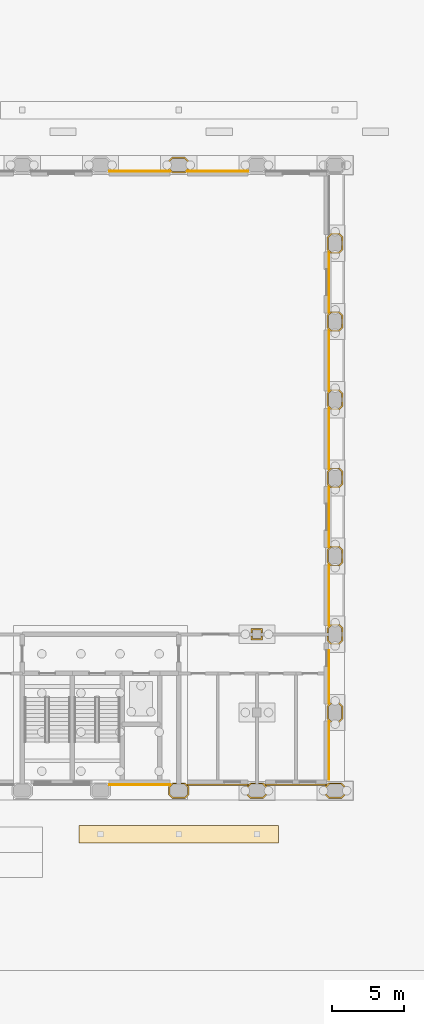
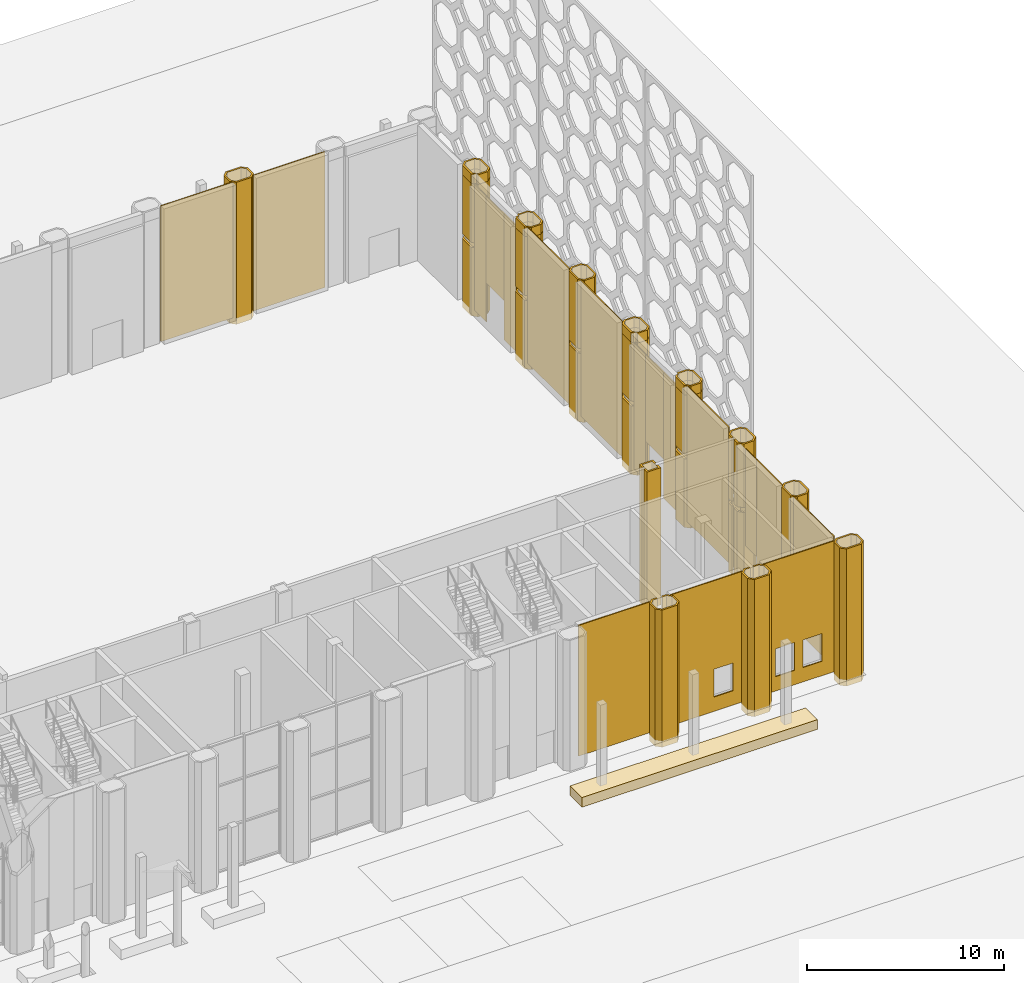
# One storey, part 51 of 54: 41 coverings.
"""IFC4 building model written with IfcOpenShell, lengths in metres."""

from ifc_helpers import new_model, si_unit, direction, frame, frame_2d, origin, origin_2d, place, context, subcontext, project, spatial, polyline, rectangle, outline, extrude, material, layer, layer_set, type_object, element, save


model = new_model("IFC4")

# Units and contexts
model_context = context("Model", 3, precision=1e-05, world=origin(), true_north=direction((0.0, 1.0)))
body_context = subcontext(model_context, "Body", "Model", "MODEL_VIEW")
ifc_project = project(units=[si_unit("LENGTHUNIT", "METRE"), si_unit("AREAUNIT", "SQUARE_METRE"), si_unit("VOLUMEUNIT", "CUBIC_METRE"), si_unit("PLANEANGLEUNIT", "RADIAN"), si_unit("MASSUNIT", "GRAM", prefix="KILO")], contexts=[model_context])

# Site, building, storey
site_placement = place(None, origin())
site = spatial("IfcSite", under=ifc_project, at=site_placement, CompositionType="ELEMENT")
building_placement = place(site_placement, origin())
building = spatial("IfcBuilding", under=site, at=building_placement, Name="Tabaq Tower and Sports Hall", CompositionType="ELEMENT")
storey_placement = place(building_placement, origin())
storey = spatial("IfcBuildingStorey", under=building, at=storey_placement, Name="L00", CompositionType="ELEMENT", Elevation=0.0)

# Coverings
ifc_material_1 = material(Name="Precast concrete C60/75", Category="concrete")
ifc_layer_1 = layer(ifc_material_1, 0.10009765625)
ifc_layer_set_1 = layer_set([ifc_layer_1], Name="Column cladding 100")
covering_type_1 = type_object("IfcCoveringType", Name="Column cladding 100", PredefinedType="CLADDING", material=ifc_layer_set_1)
covering_1_placement = place(storey_placement, frame((0.0, 0.0, -0.39990234375)))
element("IfcCovering", 1, at=covering_1_placement, inside=storey, type_object=covering_type_1, Name="Column cladding L00 HC-22A", PredefinedType="CLADDING", context=body_context, shape_type="SweptSolid", body=[
    extrude(outline(polyline([(112.7001953125, 0.291259765625), (112.958740234375, 0.5498046875), (113.249755859375, 0.5498046875), (113.249755859375, 0.4501953125), (112.999755859375, 0.4501953125), (112.7998046875, 0.250244140625), (112.7998046875, -0.250244140625), (112.999755859375, -0.4501953125), (113.800048828125, -0.4501953125), (114.000244140625, -0.250244140625), (114.000244140625, 0.250244140625), (113.800048828125, 0.4501953125), (113.55029296875, 0.4501953125), (113.55029296875, 0.5498046875), (113.84130859375, 0.5498046875), (114.099609375, 0.291259765625), (114.099609375, -0.291259765625), (113.84130859375, -0.5498046875), (112.958740234375, -0.5498046875), (112.7001953125, -0.291259765625), (112.7001953125, 0.291259765625)])), origin(), (0.0, 0.0, 1.0), 8.5),
])
covering_2_placement = place(storey_placement, frame((0.0, 0.0, -0.39990234375)))
element("IfcCovering", 2, at=covering_2_placement, inside=storey, type_object=covering_type_1, Name="Column cladding L00 HC-22I", PredefinedType="CLADDING", context=body_context, shape_type="SweptSolid", body=[
    extrude(outline(polyline([(112.7001953125, 42.90869140625), (112.7001953125, 43.4912109375), (112.958740234375, 43.749755859375), (113.84130859375, 43.749755859375), (114.099609375, 43.4912109375), (114.099609375, 42.90869140625), (113.84130859375, 42.650390625), (112.958740234375, 42.650390625), (112.7001953125, 42.90869140625)]), holes=[polyline([(113.800048828125, 42.749755859375), (114.000244140625, 42.949951171875), (114.000244140625, 43.4501953125), (113.800048828125, 43.650390625), (112.999755859375, 43.650390625), (112.7998046875, 43.4501953125), (112.7998046875, 42.949951171875), (112.999755859375, 42.749755859375), (113.800048828125, 42.749755859375)])]), origin(), (0.0, 0.0, 1.0), 8.7998046875),
])
covering_3_placement = place(storey_placement, frame((0.0, 0.0, -0.39990234375)))
element("IfcCovering", 3, at=covering_3_placement, inside=storey, type_object=covering_type_1, Name="Column cladding L00 HC-23A", PredefinedType="CLADDING", context=body_context, shape_type="SweptSolid", body=[
    extrude(outline(polyline([(118.100341796875, 0.291259765625), (118.358642578125, 0.5498046875), (118.69970703125, 0.5498046875), (118.69970703125, 0.4501953125), (118.39990234375, 0.4501953125), (118.19970703125, 0.250244140625), (118.19970703125, -0.250244140625), (118.39990234375, -0.4501953125), (119.2001953125, -0.4501953125), (119.400390625, -0.250244140625), (119.400390625, 0.250244140625), (119.2001953125, 0.4501953125), (118.900390625, 0.4501953125), (118.900390625, 0.5498046875), (119.2412109375, 0.5498046875), (119.499755859375, 0.291259765625), (119.499755859375, -0.291259765625), (119.2412109375, -0.5498046875), (118.358642578125, -0.5498046875), (118.100341796875, -0.291259765625), (118.100341796875, 0.291259765625)])), origin(), (0.0, 0.0, 1.0), 8.5),
])
covering_4_placement = place(storey_placement, frame((0.0, 0.0, -0.39990234375)))
element("IfcCovering", 4, at=covering_4_placement, inside=storey, type_object=covering_type_1, Name="Column cladding L00 HC-23C", PredefinedType="CLADDING", context=body_context, shape_type="SweptSolid", body=[
    extrude(outline(polyline([(119.19970703125, 10.400390625), (118.400390625, 10.400390625), (118.400390625, 10.69970703125), (118.499755859375, 10.69970703125), (118.499755859375, 10.499755859375), (119.100341796875, 10.499755859375), (119.100341796875, 10.69970703125), (119.19970703125, 10.69970703125), (119.19970703125, 10.400390625)])), origin(), (0.0, 0.0, 1.0), 8.5),
])
covering_5_placement = place(storey_placement, frame((0.0, 0.0, -0.39990234375)))
element("IfcCovering", 5, at=covering_5_placement, inside=storey, type_object=covering_type_1, Name="Column cladding L00 HC-23C 2", PredefinedType="CLADDING", context=body_context, shape_type="SweptSolid", body=[
    extrude(outline(polyline([(119.19970703125, 11.19970703125), (119.19970703125, 10.900390625), (119.100341796875, 10.900390625), (119.100341796875, 11.100341796875), (118.499755859375, 11.100341796875), (118.499755859375, 10.900390625), (118.400390625, 10.900390625), (118.400390625, 11.19970703125), (119.19970703125, 11.19970703125)])), origin(), (0.0, 0.0, 1.0), 8.5),
])
covering_6_placement = place(storey_placement, frame((0.0, 0.0, -0.39990234375)))
element("IfcCovering", 6, at=covering_6_placement, inside=storey, type_object=covering_type_1, Name="Column cladding L00 HC-24A", PredefinedType="CLADDING", context=body_context, shape_type="SweptSolid", body=[
    extrude(outline(polyline([(123.500244140625, -0.291259765625), (123.500244140625, 0.291259765625), (123.7587890625, 0.5498046875), (124.641357421875, 0.5498046875), (124.899658203125, 0.291259765625), (124.899658203125, -0.291259765625), (124.641357421875, -0.5498046875), (123.7587890625, -0.5498046875), (123.500244140625, -0.291259765625)]), holes=[polyline([(124.60009765625, -0.4501953125), (124.80029296875, -0.250244140625), (124.80029296875, 0.250244140625), (124.60009765625, 0.4501953125), (123.7998046875, 0.4501953125), (123.599609375, 0.250244140625), (123.599609375, -0.250244140625), (123.7998046875, -0.4501953125), (124.60009765625, -0.4501953125)])]), origin(), (0.0, 0.0, 1.0), 8.5),
])
covering_7_placement = place(storey_placement, frame((0.0, 0.0, -0.39990234375)))
element("IfcCovering", 7, at=covering_7_placement, inside=storey, type_object=covering_type_1, Name="Column cladding L00 HC-24B", PredefinedType="CLADDING", context=body_context, shape_type="SweptSolid", body=[
    extrude(outline(polyline([(124.4912109375, 4.7001953125), (123.90869140625, 4.7001953125), (123.650390625, 4.958740234375), (123.650390625, 5.84130859375), (123.90869140625, 6.099609375), (124.4912109375, 6.099609375), (124.749755859375, 5.84130859375), (124.749755859375, 4.958740234375), (124.4912109375, 4.7001953125)]), holes=[polyline([(124.650390625, 5.800048828125), (124.4501953125, 6.000244140625), (123.949951171875, 6.000244140625), (123.749755859375, 5.800048828125), (123.749755859375, 4.999755859375), (123.949951171875, 4.7998046875), (124.4501953125, 4.7998046875), (124.650390625, 4.999755859375), (124.650390625, 5.800048828125)])]), origin(), (0.0, 0.0, 1.0), 8.5),
])
covering_8_placement = place(storey_placement, frame((0.0, 0.0, -0.39990234375)))
element("IfcCovering", 8, at=covering_8_placement, inside=storey, type_object=covering_type_1, Name="Column cladding L00 HC-24C", PredefinedType="CLADDING", context=body_context, shape_type="SweptSolid", body=[
    extrude(outline(polyline([(123.90869140625, 10.100341796875), (123.650390625, 10.358642578125), (123.650390625, 10.69970703125), (123.749755859375, 10.69970703125), (123.749755859375, 10.39990234375), (123.949951171875, 10.19970703125), (124.4501953125, 10.19970703125), (124.650390625, 10.39990234375), (124.650390625, 11.2001953125), (124.4501953125, 11.400390625), (123.949951171875, 11.400390625), (123.749755859375, 11.2001953125), (123.749755859375, 10.900390625), (123.650390625, 10.900390625), (123.650390625, 11.2412109375), (123.90869140625, 11.499755859375), (124.4912109375, 11.499755859375), (124.73974609375, 11.251220703125), (124.73974609375, 10.819580078125), (124.749755859375, 10.819580078125), (124.749755859375, 10.358642578125), (124.4912109375, 10.100341796875), (123.90869140625, 10.100341796875)])), origin(), (0.0, 0.0, 1.0), 4.25),
])
covering_9_placement = place(storey_placement, frame((0.0, 0.0, 4.14990234375)))
element("IfcCovering", 9, at=covering_9_placement, inside=storey, type_object=covering_type_1, Name="Column cladding L00 HC-24C 2", PredefinedType="CLADDING", context=body_context, shape_type="SweptSolid", body=[
    extrude(outline(polyline([(123.90869140625, 10.100341796875), (123.650390625, 10.358642578125), (123.650390625, 10.69970703125), (123.749755859375, 10.69970703125), (123.749755859375, 10.39990234375), (123.949951171875, 10.19970703125), (124.4501953125, 10.19970703125), (124.650390625, 10.39990234375), (124.650390625, 11.2001953125), (124.4501953125, 11.400390625), (123.949951171875, 11.400390625), (123.749755859375, 11.2001953125), (123.749755859375, 10.900390625), (123.650390625, 10.900390625), (123.650390625, 11.2412109375), (123.90869140625, 11.499755859375), (124.4912109375, 11.499755859375), (124.73974609375, 11.251220703125), (124.73974609375, 10.819580078125), (124.749755859375, 10.819580078125), (124.749755859375, 10.358642578125), (124.4912109375, 10.100341796875), (123.90869140625, 10.100341796875)])), origin(), (0.0, 0.0, 1.0), 3.9501953125),
])
covering_10_placement = place(storey_placement, frame((0.0, 0.0, -0.39990234375)))
element("IfcCovering", 10, at=covering_10_placement, inside=storey, type_object=covering_type_1, Name="Column cladding L00 HC-24D", PredefinedType="CLADDING", context=body_context, shape_type="SweptSolid", body=[
    extrude(outline(polyline([(123.90869140625, 15.500244140625), (123.650390625, 15.7587890625), (123.650390625, 16.641357421875), (123.90869140625, 16.899658203125), (124.4912109375, 16.899658203125), (124.73974609375, 16.6513671875), (124.73974609375, 15.748779296875), (124.4912109375, 15.500244140625), (123.90869140625, 15.500244140625)]), holes=[polyline([(124.4501953125, 16.80029296875), (123.949951171875, 16.80029296875), (123.749755859375, 16.60009765625), (123.749755859375, 15.7998046875), (123.949951171875, 15.599609375), (124.4501953125, 15.599609375), (124.650390625, 15.7998046875), (124.650390625, 16.60009765625), (124.4501953125, 16.80029296875)])]), origin(), (0.0, 0.0, 1.0), 4.25),
])
covering_11_placement = place(storey_placement, frame((0.0, 0.0, 4.14990234375)))
element("IfcCovering", 11, at=covering_11_placement, inside=storey, type_object=covering_type_1, Name="Column cladding L00 HC-24D 2", PredefinedType="CLADDING", context=body_context, shape_type="SweptSolid", body=[
    extrude(outline(polyline([(123.90869140625, 15.500244140625), (123.650390625, 15.7587890625), (123.650390625, 16.641357421875), (123.90869140625, 16.899658203125), (124.4912109375, 16.899658203125), (124.73974609375, 16.6513671875), (124.73974609375, 15.748779296875), (124.4912109375, 15.500244140625), (123.90869140625, 15.500244140625)]), holes=[polyline([(124.4501953125, 16.80029296875), (123.949951171875, 16.80029296875), (123.749755859375, 16.60009765625), (123.749755859375, 15.7998046875), (123.949951171875, 15.599609375), (124.4501953125, 15.599609375), (124.650390625, 15.7998046875), (124.650390625, 16.60009765625), (124.4501953125, 16.80029296875)])]), origin(), (0.0, 0.0, 1.0), 3.650146484375),
])
covering_12_placement = place(storey_placement, frame((0.0, 0.0, 7.800048828125)))
element("IfcCovering", 12, at=covering_12_placement, inside=storey, type_object=covering_type_1, Name="Column cladding L00 HC-24D head", PredefinedType="CLADDING", context=body_context, shape_type="SweptSolid", body=[
    extrude(outline(polyline([(123.650390625, 15.7587890625), (123.650390625, 16.641357421875), (123.7587890625, 16.749755859375), (123.899169921875, 16.749755859375), (123.749755859375, 16.60009765625), (123.749755859375, 15.7998046875), (123.949951171875, 15.599609375), (124.4501953125, 15.599609375), (124.650390625, 15.7998046875), (124.650390625, 16.60009765625), (124.4501953125, 16.80029296875), (123.949951171875, 16.80029296875), (123.900390625, 16.750732421875), (123.900390625, 16.891357421875), (123.90869140625, 16.899658203125), (124.4912109375, 16.899658203125), (124.73974609375, 16.6513671875), (124.73974609375, 15.748779296875), (124.4912109375, 15.500244140625), (123.90869140625, 15.500244140625), (123.650390625, 15.7587890625)])), origin(), (0.0, 0.0, 1.0), 0.599853515625),
])
covering_13_placement = place(storey_placement, frame((0.0, 0.0, -0.39990234375)))
element("IfcCovering", 13, at=covering_13_placement, inside=storey, type_object=covering_type_1, Name="Column cladding L00 HC-24E", PredefinedType="CLADDING", context=body_context, shape_type="SweptSolid", body=[
    extrude(outline(polyline([(123.90869140625, 20.900390625), (123.650390625, 21.15869140625), (123.650390625, 22.041259765625), (123.90869140625, 22.2998046875), (124.4912109375, 22.2998046875), (124.73974609375, 22.05126953125), (124.73974609375, 21.61962890625), (124.749755859375, 21.61962890625), (124.749755859375, 21.580322265625), (124.73974609375, 21.580322265625), (124.73974609375, 21.148681640625), (124.4912109375, 20.900390625), (123.90869140625, 20.900390625)]), holes=[polyline([(124.4501953125, 22.2001953125), (123.949951171875, 22.2001953125), (123.749755859375, 22.000244140625), (123.749755859375, 21.199951171875), (123.949951171875, 20.999755859375), (124.4501953125, 20.999755859375), (124.650390625, 21.199951171875), (124.650390625, 22.000244140625), (124.4501953125, 22.2001953125)])]), origin(), (0.0, 0.0, 1.0), 4.25),
])
covering_14_placement = place(storey_placement, frame((0.0, 0.0, 4.14990234375)))
element("IfcCovering", 14, at=covering_14_placement, inside=storey, type_object=covering_type_1, Name="Column cladding L00 HC-24E 2", PredefinedType="CLADDING", context=body_context, shape_type="SweptSolid", body=[
    extrude(outline(polyline([(123.90869140625, 20.900390625), (123.650390625, 21.15869140625), (123.650390625, 22.041259765625), (123.90869140625, 22.2998046875), (124.4912109375, 22.2998046875), (124.73974609375, 22.05126953125), (124.73974609375, 21.61962890625), (124.749755859375, 21.61962890625), (124.749755859375, 21.580322265625), (124.73974609375, 21.580322265625), (124.73974609375, 21.148681640625), (124.4912109375, 20.900390625), (123.90869140625, 20.900390625)]), holes=[polyline([(124.4501953125, 22.2001953125), (123.949951171875, 22.2001953125), (123.749755859375, 22.000244140625), (123.749755859375, 21.199951171875), (123.949951171875, 20.999755859375), (124.4501953125, 20.999755859375), (124.650390625, 21.199951171875), (124.650390625, 22.000244140625), (124.4501953125, 22.2001953125)])]), origin(), (0.0, 0.0, 1.0), 3.650146484375),
])
covering_15_placement = place(storey_placement, frame((0.0, 0.0, 7.800048828125)))
element("IfcCovering", 15, at=covering_15_placement, inside=storey, type_object=covering_type_1, Name="Column cladding L00 HC-24E head", PredefinedType="CLADDING", context=body_context, shape_type="SweptSolid", body=[
    extrude(outline(polyline([(123.900390625, 20.90869140625), (123.900390625, 21.04931640625), (123.949951171875, 20.999755859375), (124.4501953125, 20.999755859375), (124.650390625, 21.199951171875), (124.650390625, 22.000244140625), (124.4501953125, 22.2001953125), (123.949951171875, 22.2001953125), (123.749755859375, 22.000244140625), (123.749755859375, 21.199951171875), (123.899169921875, 21.05029296875), (123.7587890625, 21.05029296875), (123.650390625, 21.15869140625), (123.650390625, 22.041259765625), (123.90869140625, 22.2998046875), (124.4912109375, 22.2998046875), (124.73974609375, 22.05126953125), (124.73974609375, 21.61962890625), (124.749755859375, 21.61962890625), (124.749755859375, 21.580322265625), (124.73974609375, 21.580322265625), (124.73974609375, 21.148681640625), (124.4912109375, 20.900390625), (123.90869140625, 20.900390625), (123.900390625, 20.90869140625)])), origin(), (0.0, 0.0, 1.0), 0.599853515625),
])
for number, where, name in (
    (16, (0.0, 0.0, -0.39990234375), "Column cladding L00 HC-24F"),
    (17, (0.0, 0.0, 4.14990234375), "Column cladding L00 HC-24F 2"),
):
    element("IfcCovering", number, at=place(storey_placement, frame(where)), inside=storey, type_object=covering_type_1, Name=name, PredefinedType="CLADDING", context=body_context, shape_type="SweptSolid", body=[
        extrude(outline(polyline([(123.90869140625, 26.30029296875), (123.650390625, 26.55859375), (123.650390625, 27.44140625), (123.90869140625, 27.69970703125), (124.4912109375, 27.69970703125), (124.73974609375, 27.451416015625), (124.73974609375, 26.548583984375), (124.4912109375, 26.30029296875), (123.90869140625, 26.30029296875)]), holes=[polyline([(124.4501953125, 27.600341796875), (123.949951171875, 27.600341796875), (123.749755859375, 27.400146484375), (123.749755859375, 26.599853515625), (123.949951171875, 26.399658203125), (124.4501953125, 26.399658203125), (124.650390625, 26.599853515625), (124.650390625, 27.400146484375), (124.4501953125, 27.600341796875)])]), origin(), (0.0, 0.0, 1.0), 4.25),
    ])
covering_16_placement = place(storey_placement, frame((0.0, 0.0, -0.39990234375)))
element("IfcCovering", 18, at=covering_16_placement, inside=storey, type_object=covering_type_1, Name="Column cladding L00 HC-24G", PredefinedType="CLADDING", context=body_context, shape_type="SweptSolid", body=[
    extrude(outline(polyline([(123.90869140625, 31.7001953125), (123.650390625, 31.958740234375), (123.650390625, 32.84130859375), (123.90869140625, 33.099609375), (124.4912109375, 33.099609375), (124.73974609375, 32.851318359375), (124.73974609375, 32.419677734375), (124.749755859375, 32.419677734375), (124.749755859375, 32.38037109375), (124.73974609375, 32.38037109375), (124.73974609375, 31.94873046875), (124.4912109375, 31.7001953125), (123.90869140625, 31.7001953125)]), holes=[polyline([(124.4501953125, 33.000244140625), (123.949951171875, 33.000244140625), (123.749755859375, 32.800048828125), (123.749755859375, 31.999755859375), (123.949951171875, 31.7998046875), (124.4501953125, 31.7998046875), (124.650390625, 31.999755859375), (124.650390625, 32.800048828125), (124.4501953125, 33.000244140625)])]), origin(), (0.0, 0.0, 1.0), 4.25),
])
covering_17_placement = place(storey_placement, frame((0.0, 0.0, 4.14990234375)))
element("IfcCovering", 19, at=covering_17_placement, inside=storey, type_object=covering_type_1, Name="Column cladding L00 HC-24G 2", PredefinedType="CLADDING", context=body_context, shape_type="SweptSolid", body=[
    extrude(outline(polyline([(123.90869140625, 31.7001953125), (123.650390625, 31.958740234375), (123.650390625, 32.84130859375), (123.90869140625, 33.099609375), (124.4912109375, 33.099609375), (124.73974609375, 32.851318359375), (124.73974609375, 32.419677734375), (124.749755859375, 32.419677734375), (124.749755859375, 32.38037109375), (124.73974609375, 32.38037109375), (124.73974609375, 31.94873046875), (124.4912109375, 31.7001953125), (123.90869140625, 31.7001953125)]), holes=[polyline([(124.4501953125, 33.000244140625), (123.949951171875, 33.000244140625), (123.749755859375, 32.800048828125), (123.749755859375, 31.999755859375), (123.949951171875, 31.7998046875), (124.4501953125, 31.7998046875), (124.650390625, 31.999755859375), (124.650390625, 32.800048828125), (124.4501953125, 33.000244140625)])]), origin(), (0.0, 0.0, 1.0), 3.650146484375),
])
covering_18_placement = place(storey_placement, frame((0.0, 0.0, 7.800048828125)))
element("IfcCovering", 20, at=covering_18_placement, inside=storey, type_object=covering_type_1, Name="Column cladding L00 HC-24G head", PredefinedType="CLADDING", context=body_context, shape_type="SweptSolid", body=[
    extrude(outline(polyline([(123.650390625, 31.958740234375), (123.650390625, 32.84130859375), (123.7587890625, 32.94970703125), (123.899169921875, 32.94970703125), (123.749755859375, 32.800048828125), (123.749755859375, 31.999755859375), (123.949951171875, 31.7998046875), (124.4501953125, 31.7998046875), (124.650390625, 31.999755859375), (124.650390625, 32.800048828125), (124.4501953125, 33.000244140625), (123.949951171875, 33.000244140625), (123.900390625, 32.95068359375), (123.900390625, 33.09130859375), (123.90869140625, 33.099609375), (124.4912109375, 33.099609375), (124.73974609375, 32.851318359375), (124.73974609375, 32.419677734375), (124.749755859375, 32.419677734375), (124.749755859375, 32.38037109375), (124.73974609375, 32.38037109375), (124.73974609375, 31.94873046875), (124.4912109375, 31.7001953125), (123.90869140625, 31.7001953125), (123.650390625, 31.958740234375)])), origin(), (0.0, 0.0, 1.0), 0.599853515625),
])
covering_19_placement = place(storey_placement, frame((0.0, 0.0, -0.39990234375)))
element("IfcCovering", 21, at=covering_19_placement, inside=storey, type_object=covering_type_1, Name="Column cladding L00 HC-24H", PredefinedType="CLADDING", context=body_context, shape_type="SweptSolid", body=[
    extrude(outline(polyline([(123.90869140625, 37.100341796875), (123.650390625, 37.358642578125), (123.650390625, 38.2412109375), (123.90869140625, 38.499755859375), (124.4912109375, 38.499755859375), (124.73974609375, 38.251220703125), (124.73974609375, 37.3486328125), (124.4912109375, 37.100341796875), (123.90869140625, 37.100341796875)]), holes=[polyline([(124.4501953125, 38.400390625), (123.949951171875, 38.400390625), (123.749755859375, 38.2001953125), (123.749755859375, 37.39990234375), (123.949951171875, 37.19970703125), (124.4501953125, 37.19970703125), (124.650390625, 37.39990234375), (124.650390625, 38.2001953125), (124.4501953125, 38.400390625)])]), origin(), (0.0, 0.0, 1.0), 4.25),
])
covering_20_placement = place(storey_placement, frame((0.0, 0.0, 4.14990234375)))
element("IfcCovering", 22, at=covering_20_placement, inside=storey, type_object=covering_type_1, Name="Column cladding L00 HC-24H 2", PredefinedType="CLADDING", context=body_context, shape_type="SweptSolid", body=[
    extrude(outline(polyline([(123.90869140625, 37.100341796875), (123.650390625, 37.358642578125), (123.650390625, 38.2412109375), (123.90869140625, 38.499755859375), (124.4912109375, 38.499755859375), (124.73974609375, 38.251220703125), (124.73974609375, 37.3486328125), (124.4912109375, 37.100341796875), (123.90869140625, 37.100341796875)]), holes=[polyline([(124.4501953125, 38.400390625), (123.949951171875, 38.400390625), (123.749755859375, 38.2001953125), (123.749755859375, 37.39990234375), (123.949951171875, 37.19970703125), (124.4501953125, 37.19970703125), (124.650390625, 37.39990234375), (124.650390625, 38.2001953125), (124.4501953125, 38.400390625)])]), origin(), (0.0, 0.0, 1.0), 3.650146484375),
])
covering_21_placement = place(storey_placement, frame((0.0, 0.0, 7.800048828125)))
element("IfcCovering", 23, at=covering_21_placement, inside=storey, type_object=covering_type_1, Name="Column cladding L00 HC-24H head", PredefinedType="CLADDING", context=body_context, shape_type="SweptSolid", body=[
    extrude(outline(polyline([(123.900390625, 37.108642578125), (123.900390625, 37.249267578125), (123.949951171875, 37.19970703125), (124.4501953125, 37.19970703125), (124.650390625, 37.39990234375), (124.650390625, 38.2001953125), (124.4501953125, 38.400390625), (123.949951171875, 38.400390625), (123.749755859375, 38.2001953125), (123.749755859375, 37.39990234375), (123.899169921875, 37.250244140625), (123.7587890625, 37.250244140625), (123.650390625, 37.358642578125), (123.650390625, 38.2412109375), (123.90869140625, 38.499755859375), (124.4912109375, 38.499755859375), (124.73974609375, 38.251220703125), (124.73974609375, 37.3486328125), (124.4912109375, 37.100341796875), (123.90869140625, 37.100341796875), (123.900390625, 37.108642578125)])), origin(), (0.0, 0.0, 1.0), 0.599853515625),
])
ifc_material_2 = material(Name="Precast concrete C35/45 planting bed with planting soil", Category="concrete")
covering_type_2 = type_object("IfcCoveringType", Name="PLAZA PLANTING BED 1200x600", PredefinedType="USERDEFINED", material=ifc_material_2)
covering_22_placement = place(storey_placement, frame((113.39990234375, -3.0, 0.0), z_axis=(0.0, 0.0, 1.0), x_axis=(1.0, 0.0, 0.0)))
element("IfcCovering", 24, at=covering_22_placement, inside=storey, type_object=covering_type_2, Name="Planting bed B1", ObjectType="PLANTER", PredefinedType="USERDEFINED", context=body_context, shape_type="SweptSolid", body=[
    extrude(rectangle(XDim=13.800048828125, YDim=1.199951171875, at=origin_2d()), origin(), (0.0, 0.0, 1.0), 0.60009765625),
])
ifc_material_3 = material(Name="Precast concrete C60/75", Category="concrete")
ifc_layer_2 = layer(ifc_material_3, 0.06005859375)
ifc_layer_set_2 = layer_set([ifc_layer_2], Name="White precast cladding panel 60 C60/75")
covering_type_3 = type_object("IfcCoveringType", Name="White precast cladding panel 60 C60/75", PredefinedType="CLADDING", material=ifc_layer_set_2)
covering_23_placement = place(storey_placement, frame((123.780029296875, 0.75, 0.0), z_axis=(0.0, 0.0, 1.0), x_axis=(0.0, 1.0, 0.0)))
element("IfcCovering", 25, at=covering_23_placement, inside=storey, type_object=covering_type_3, Name="White precast cladding panel L00 L00", PredefinedType="CLADDING", context=body_context, shape_type="SweptSolid", body=[
    extrude(rectangle(XDim=4.050048828125, YDim=0.06005859375, at=frame_2d((2.02490234375, 0.0))), origin(), (0.0, 0.0, 1.0), 8.10009765625),
])
covering_24_placement = place(storey_placement, frame((123.780029296875, 6.0, 0.0), z_axis=(0.0, 0.0, 1.0), x_axis=(0.0, 1.0, 0.0)))
element("IfcCovering", 26, at=covering_24_placement, inside=storey, type_object=covering_type_3, Name="White precast cladding panel L00 L00", PredefinedType="CLADDING", context=body_context, shape_type="SweptSolid", body=[
    extrude(rectangle(XDim=2.590087890625, YDim=0.06005859375, at=frame_2d((1.294921875, 0.0))), origin(), (0.0, 0.0, 1.0), 8.10009765625),
])
covering_25_placement = place(storey_placement, frame((123.780029296875, 8.590087890625, 2.110107421875), z_axis=(0.0, 0.0, 1.0), x_axis=(0.0, 1.0, 0.0)))
element("IfcCovering", 27, at=covering_25_placement, inside=storey, type_object=covering_type_3, Name="White precast cladding panel L00 L00 2", PredefinedType="CLADDING", context=body_context, shape_type="SweptSolid", body=[
    extrude(rectangle(XDim=1.119873046875, YDim=0.06005859375, at=frame_2d((0.56005859375, 0.0))), origin(), (0.0, 0.0, 1.0), 5.989990234375),
])
covering_26_placement = place(storey_placement, frame((123.780029296875, 11.39990234375, 0.0), z_axis=(0.0, 0.0, 1.0), x_axis=(0.0, 1.0, 0.0)))
element("IfcCovering", 28, at=covering_26_placement, inside=storey, type_object=covering_type_3, Name="White precast cladding panel L00 L00", PredefinedType="CLADDING", context=body_context, shape_type="SweptSolid", body=[
    extrude(rectangle(XDim=4.2001953125, YDim=0.06005859375, at=frame_2d((2.10009765625, 0.0))), origin(), (0.0, 0.0, 1.0), 8.39990234375),
])
covering_27_placement = place(storey_placement, frame((123.780029296875, 16.800048828125, 0.0), z_axis=(0.0, 0.0, 1.0), x_axis=(0.0, 1.0, 0.0)))
element("IfcCovering", 29, at=covering_27_placement, inside=storey, type_object=covering_type_3, Name="White precast cladding panel L00 L00", PredefinedType="CLADDING", context=body_context, shape_type="SweptSolid", body=[
    extrude(rectangle(XDim=1.18994140625, YDim=0.06005859375, at=frame_2d((0.594970703125, 0.0))), origin(), (0.0, 0.0, 1.0), 7.800048828125),
])
covering_28_placement = place(storey_placement, frame((123.780029296875, 17.989990234375, 2.409912109375), z_axis=(0.0, 0.0, 1.0), x_axis=(0.0, 1.0, 0.0)))
element("IfcCovering", 30, at=covering_28_placement, inside=storey, type_object=covering_type_3, Name="White precast cladding panel L00 L00 2", PredefinedType="CLADDING", context=body_context, shape_type="SweptSolid", body=[
    extrude(rectangle(XDim=1.820068359375, YDim=0.06005859375, at=frame_2d((0.91015625, 0.0))), origin(), (0.0, 0.0, 1.0), 5.39013671875),
])
covering_29_placement = place(storey_placement, frame((123.780029296875, 19.81005859375, 0.0), z_axis=(0.0, 0.0, 1.0), x_axis=(0.0, 1.0, 0.0)))
element("IfcCovering", 31, at=covering_29_placement, inside=storey, type_object=covering_type_3, Name="White precast cladding panel L00 L00 3", PredefinedType="CLADDING", context=body_context, shape_type="SweptSolid", body=[
    extrude(rectangle(XDim=1.18994140625, YDim=0.06005859375, at=frame_2d((0.594970703125, 0.0))), origin(), (0.0, 0.0, 1.0), 7.800048828125),
])
for number, where, z_axis, x_axis, name in (
    (32, (123.780029296875, 22.199951171875, 0.0), (0.0, 0.0, 1.0), (0.0, 1.0, 0.0), "White precast cladding panel L00 L00"),
    (33, (123.780029296875, 27.60009765625, 0.0), (0.0, 0.0, 1.0), (0.0, 1.0, 0.0), "White precast cladding panel L00 L00"),
):
    element("IfcCovering", number, at=place(storey_placement, frame(where, z_axis=z_axis, x_axis=x_axis)), inside=storey, type_object=covering_type_3, Name=name, PredefinedType="CLADDING", context=body_context, shape_type="SweptSolid", body=[
        extrude(rectangle(XDim=4.199951171875, YDim=0.06005859375, at=frame_2d((2.10009765625, 0.0))), origin(), (0.0, 0.0, 1.0), 8.39990234375),
    ])
covering_30_placement = place(storey_placement, frame((123.780029296875, 33.0, 0.0), z_axis=(0.0, 0.0, 1.0), x_axis=(0.0, 1.0, 0.0)))
element("IfcCovering", 34, at=covering_30_placement, inside=storey, type_object=covering_type_3, Name="White precast cladding panel L00 L00", PredefinedType="CLADDING", context=body_context, shape_type="SweptSolid", body=[
    extrude(rectangle(XDim=1.18994140625, YDim=0.06005859375, at=frame_2d((0.594970703125, 0.0))), origin(), (0.0, 0.0, 1.0), 7.800048828125),
])
covering_31_placement = place(storey_placement, frame((123.780029296875, 34.18994140625, 2.409912109375), z_axis=(0.0, 0.0, 1.0), x_axis=(0.0, 1.0, 0.0)))
element("IfcCovering", 35, at=covering_31_placement, inside=storey, type_object=covering_type_3, Name="White precast cladding panel L00 L00 2", PredefinedType="CLADDING", context=body_context, shape_type="SweptSolid", body=[
    extrude(rectangle(XDim=1.820068359375, YDim=0.06005859375, at=frame_2d((0.91015625, 0.0))), origin(), (0.0, 0.0, 1.0), 5.39013671875),
])
covering_32_placement = place(storey_placement, frame((123.780029296875, 36.010009765625, 0.0), z_axis=(0.0, 0.0, 1.0), x_axis=(0.0, 1.0, 0.0)))
element("IfcCovering", 36, at=covering_32_placement, inside=storey, type_object=covering_type_3, Name="White precast cladding panel L00 L00 3", PredefinedType="CLADDING", context=body_context, shape_type="SweptSolid", body=[
    extrude(rectangle(XDim=1.18994140625, YDim=0.06005859375, at=frame_2d((0.594970703125, 0.0))), origin(), (0.0, 0.0, 1.0), 7.800048828125),
])
for number, where, z_axis, x_axis, name in (
    (37, (108.60009765625, 42.780029296875, 0.0), (0.0, 0.0, 1.0), (1.0, 0.0, 0.0), "White precast cladding panel L00 L00"),
    (38, (114.0, 42.780029296875, 0.0), (0.0, 0.0, 1.0), (1.0, 0.0, 0.0), "White precast cladding panel L00 L00"),
):
    element("IfcCovering", number, at=place(storey_placement, frame(where, z_axis=z_axis, x_axis=x_axis)), inside=storey, type_object=covering_type_3, Name=name, PredefinedType="CLADDING", context=body_context, shape_type="SweptSolid", body=[
        extrude(rectangle(XDim=4.199951171875, YDim=0.06005859375, at=frame_2d((2.10009765625, 0.0))), origin(), (0.0, 0.0, 1.0), 8.39990234375),
    ])
covering_33_placement = place(storey_placement, frame((108.60009765625, 0.419921875, 0.0), z_axis=(0.0, 0.0, 1.0), x_axis=(1.0, 0.0, 0.0)))
element("IfcCovering", 39, at=covering_33_placement, inside=storey, type_object=covering_type_3, Name="White precast cladding panel L00 L00", PredefinedType="CLADDING", context=body_context, shape_type="SweptSolid", body=[
    extrude(rectangle(XDim=4.199951171875, YDim=0.06005859375, at=frame_2d((2.10009765625, 0.0))), origin(), (0.0, 0.0, 1.0), 8.10009765625),
])
covering_34_placement = place(storey_placement, frame((114.0, 0.419921875, 0.0), z_axis=(0.0, 0.0, 1.0), x_axis=(1.0, 0.0, 0.0)))
element("IfcCovering", 40, at=covering_34_placement, inside=storey, type_object=covering_type_3, Name="White precast cladding panel L00 L00", PredefinedType="CLADDING", context=body_context, shape_type="SweptSolid", body=[
    extrude(outline(polyline([(0.0, 0.0), (4.199951171875, 0.0), (4.199951171875, 8.10009765625), (0.0, 8.10009765625), (0.0, 0.0)]), holes=[polyline([(2.5400390625, 0.889892578125), (2.5400390625, 2.610107421875), (3.659912109375, 2.610107421875), (3.659912109375, 0.889892578125), (2.5400390625, 0.889892578125)])]), frame((0.0, 0.030029296875, 0.0), z_axis=(0.0, -1.0, 0.0), x_axis=(1.0, 0.0, 0.0)), (0.0, 0.0, 1.0), 0.06005859375),
])
covering_35_placement = place(storey_placement, frame((119.39990234375, 0.419921875, 0.0), z_axis=(0.0, 0.0, 1.0), x_axis=(1.0, 0.0, 0.0)))
element("IfcCovering", 41, at=covering_35_placement, inside=storey, type_object=covering_type_3, Name="White precast cladding panel L00 L00", PredefinedType="CLADDING", context=body_context, shape_type="SweptSolid", body=[
    extrude(outline(polyline([(0.0, 0.0), (4.2001953125, 0.0), (4.2001953125, 8.10009765625), (0.0, 8.10009765625), (0.0, 0.0)]), holes=[polyline([(0.739990234375, 2.610107421875), (1.860107421875, 2.610107421875), (1.860107421875, 0.889892578125), (0.739990234375, 0.889892578125), (0.739990234375, 2.610107421875)]), polyline([(2.340087890625, 2.610107421875), (3.4599609375, 2.610107421875), (3.4599609375, 0.889892578125), (2.340087890625, 0.889892578125), (2.340087890625, 2.610107421875)])]), frame((0.0, 0.030029296875, 0.0), z_axis=(0.0, -1.0, 0.0), x_axis=(1.0, 0.0, 0.0)), (0.0, 0.0, 1.0), 0.06005859375),
])

save(model, "model.ifc")
